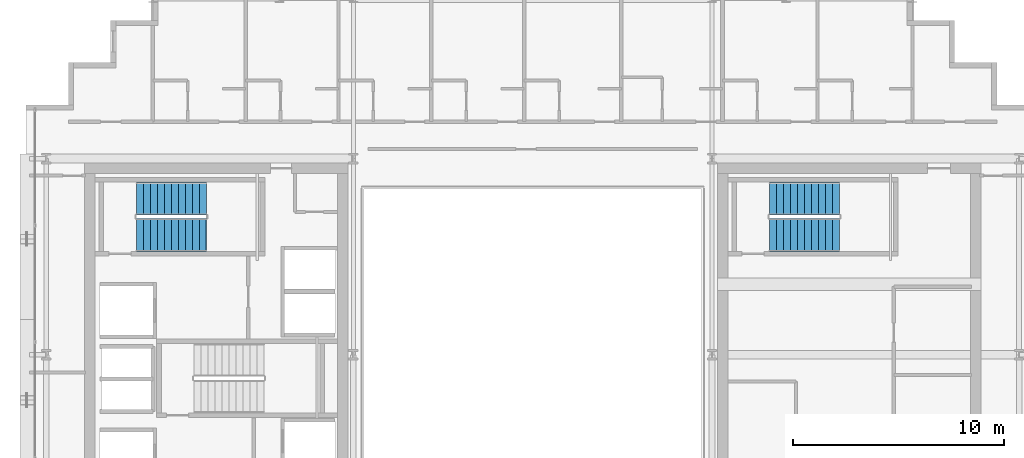
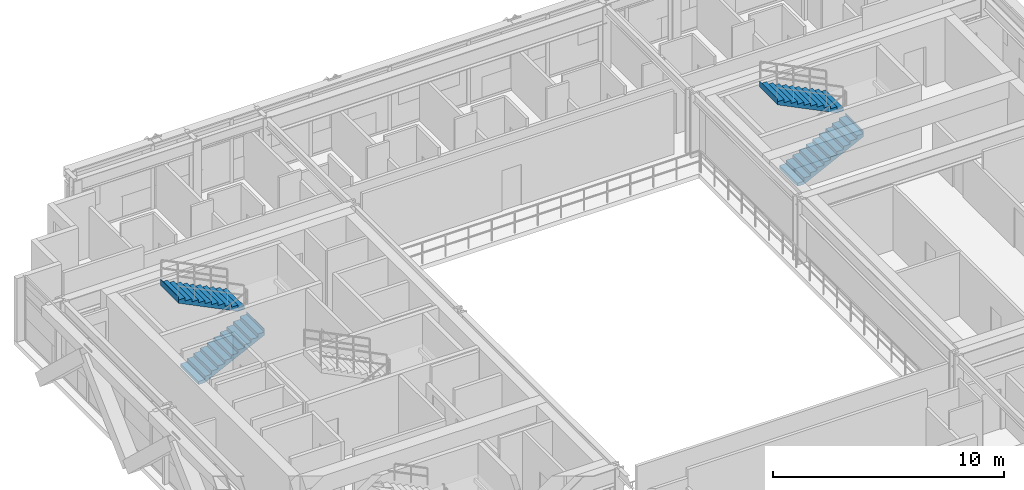
# One storey, part 28 of 32: 4 stair flights, 2 elements without a shape of their own.
"""IFC4 building model written with IfcOpenShell, lengths in metres."""

import ifcopenshell
import ifcopenshell.guid

model = None  # the IFC model being written
_history = None  # IfcOwnerHistory: only IFC2X3 demands one
_inside = {}  # id of a spatial element -> (the spatial element, [elements in it])
_under = {}  # id of a project, library or spatial element -> (it, [spatial elements below it])
_declared = {}  # id of a project -> (the project, [libraries it declares])
_typed = {}  # id of a type object -> (the type object, [elements of that type])
_made_of = {}  # id of a material, layer set ... -> (it, [elements and type objects made of it])


def new_model(schema):
    """Start an empty IFC model of exactly this schema.

    Asked for "IFC4X3", IfcOpenShell would pick the latest addendum, in which some entities
    have other attributes; the version numbers below select the first issue.
    IFC2X3 requires an IfcOwnerHistory on every rooted entity: one is made here for all.
    """
    global model, _history
    if schema == "IFC4X3":
        model = ifcopenshell.file(schema_version=(4, 3, 0, 0))
    else:
        model = ifcopenshell.file(schema=schema)
    _inside.clear()
    _under.clear()
    _declared.clear()
    _typed.clear()
    _made_of.clear()
    _history = None
    if model.schema == "IFC2X3":
        org = make("IfcOrganization", Name="unknown")
        user = make(
            "IfcPersonAndOrganization",
            ThePerson=make("IfcPerson", FamilyName="unknown"),
            TheOrganization=org,
        )
        app = make(
            "IfcApplication",
            ApplicationDeveloper=org,
            Version="unknown",
            ApplicationFullName="unknown",
            ApplicationIdentifier="unknown",
        )
        _history = make(
            "IfcOwnerHistory",
            OwningUser=user,
            OwningApplication=app,
            ChangeAction="ADDED",
            CreationDate=0,
        )
    return model


def make(cls, **values):
    """One entity of the class cls with the attributes given. An attribute that is None is left unset."""
    return model.create_entity(
        cls, **{name: value for name, value in values.items() if value is not None}
    )


def rooted(cls, **values):
    """An entity with a GlobalId (a new one), such as an element, a storey or a relation."""
    return make(cls, GlobalId=ifcopenshell.guid.new(), OwnerHistory=_history, **values)


def si_unit(unit_type, name, prefix=None):
    """IfcSIUnit, for example si_unit("LENGTHUNIT", "METRE", prefix="MILLI")."""
    return make("IfcSIUnit", UnitType=unit_type, Prefix=prefix, Name=name)


def assignment(units):
    """IfcUnitAssignment: the units of a project."""
    return None if units is None else make("IfcUnitAssignment", Units=units)


def point(xyz):
    """IfcCartesianPoint."""
    return None if xyz is None else make("IfcCartesianPoint", Coordinates=xyz)


def direction(xyz):
    """IfcDirection."""
    return None if xyz is None else make("IfcDirection", DirectionRatios=xyz)


def frame(location, z_axis=None, x_axis=None):
    """IfcAxis2Placement3D, a coordinate frame: its origin and axes. An axis left out is left unset."""
    return make(
        "IfcAxis2Placement3D",
        Location=point(location),
        Axis=direction(z_axis),
        RefDirection=direction(x_axis),
    )


def origin():
    """The frame at (0, 0, 0) with its axes left unset."""
    return frame((0.0, 0.0, 0.0))


def place(relative_to, where):
    """IfcLocalPlacement: puts the frame where relative to a parent placement (None: the world)."""
    return make(
        "IfcLocalPlacement", PlacementRelTo=relative_to, RelativePlacement=where
    )


def context(
    kind, dimensions, precision=None, world=None, true_north=None, identifier=None
):
    """IfcGeometricRepresentationContext, for example the 3D "Model" context."""
    return make(
        "IfcGeometricRepresentationContext",
        ContextIdentifier=identifier,
        ContextType=kind,
        CoordinateSpaceDimension=dimensions,
        Precision=precision,
        WorldCoordinateSystem=world,
        TrueNorth=true_north,
    )


def subcontext(parent, identifier, kind, view, scale=None):
    """IfcGeometricRepresentationSubContext, for example "Body" below "Model"."""
    return make(
        "IfcGeometricRepresentationSubContext",
        ContextIdentifier=identifier,
        ContextType=kind,
        ParentContext=parent,
        TargetScale=scale,
        TargetView=view,
    )


def project(units=None, contexts=None):
    """IfcProject with its units and contexts."""
    return rooted(
        "IfcProject",
        Name="project",
        RepresentationContexts=contexts,
        UnitsInContext=assignment(units),
    )


def spatial(cls, under=None, at=None, **own):
    """A site, building, storey or space (cls), placed at a placement, below another one or the project."""
    s = rooted(cls, ObjectPlacement=at, **own)
    if under is not None:
        _under.setdefault(under.id(), (under, []))[1].append(s)
    return s


def polyline(points):
    """IfcPolyline through the points."""
    return make("IfcPolyline", Points=[point(p) for p in points])


def outline(outer, holes=None, kind="AREA"):
    """IfcArbitraryClosedProfileDef: a profile drawn as a closed curve; with holes, ...WithVoids."""
    if holes is None:
        return make("IfcArbitraryClosedProfileDef", ProfileType=kind, OuterCurve=outer)
    return make(
        "IfcArbitraryProfileDefWithVoids",
        ProfileType=kind,
        OuterCurve=outer,
        InnerCurves=holes,
    )


def extrude(swept, where, along, depth):
    """IfcExtrudedAreaSolid: the profile swept, set in the frame where, extruded along a direction by depth."""
    return make(
        "IfcExtrudedAreaSolid",
        SweptArea=swept,
        Position=where,
        ExtrudedDirection=direction(along),
        Depth=depth,
    )


def shape(context_of_items, identifier, shape_type, items):
    """IfcShapeRepresentation: the items that make up one representation, for example the "Body"."""
    return make(
        "IfcShapeRepresentation",
        ContextOfItems=context_of_items,
        RepresentationIdentifier=identifier,
        RepresentationType=shape_type,
        Items=items,
    )


def source(mapping_origin, context_of_items, identifier, shape_type, items):
    """IfcRepresentationMap: a shape defined once, which mapped items show again and again."""
    return make(
        "IfcRepresentationMap",
        MappingOrigin=mapping_origin,
        MappedRepresentation=shape(context_of_items, identifier, shape_type, items),
    )


def transform(
    local_origin,
    x_axis=None,
    y_axis=None,
    z_axis=None,
    scale=None,
    scale2=None,
    scale3=None,
    uniform=True,
):
    """IfcCartesianTransformationOperator3D, or its non-uniform kind. x_axis, y_axis, z_axis: its Axis1, 2, 3."""
    if uniform:
        return make(
            "IfcCartesianTransformationOperator3D",
            Axis1=direction(x_axis),
            Axis2=direction(y_axis),
            LocalOrigin=point(local_origin),
            Scale=scale,
            Axis3=direction(z_axis),
        )
    return make(
        "IfcCartesianTransformationOperator3DnonUniform",
        Axis1=direction(x_axis),
        Axis2=direction(y_axis),
        LocalOrigin=point(local_origin),
        Scale=scale,
        Axis3=direction(z_axis),
        Scale2=scale2,
        Scale3=scale3,
    )


def mapped(mapping_source, mapping_target):
    """IfcMappedItem: shows the shape of a source again, moved by a transform."""
    return make(
        "IfcMappedItem", MappingSource=mapping_source, MappingTarget=mapping_target
    )


def material(Name=None, Category=None):
    """IfcMaterial."""
    return make("IfcMaterial", Name=Name, Category=Category)


def made_of(thing, what):
    """Note that an element or type object is made of a material, layer set ...; save() writes the relation."""
    if what is not None:
        _made_of.setdefault(what.id(), (what, []))[1].append(thing)
    return thing


def type_object(cls, material=None, **own):
    """A type object (cls), such as IfcWallType, which elements share."""
    return made_of(rooted(cls, **own), material)


def element(
    cls,
    number,
    at=None,
    inside=None,
    cuts=None,
    type_object=None,
    material=None,
    context=None,
    identifier="Body",
    shape_type=None,
    held_by="IfcProductDefinitionShape",
    body=None,
    shapes=None,
    **own,
):
    """One element of the class cls, such as IfcWall. Its Tag is "e" and its number.

    at: its placement. inside: the storey or other place that contains it. cuts: it is an
    opening in that element (IfcRelVoidsElement). A single representation is given by context,
    identifier, shape_type and body (its items); several are given by shapes. held_by: the class
    of the entity that holds the representations. save() writes the other relations.
    """
    e = rooted(cls, Tag="e%d" % number, ObjectPlacement=at, **own)
    if body is not None:
        shapes = [shape(context, identifier, shape_type, body)]
    if shapes is not None:
        e.Representation = make(held_by, Representations=shapes)
    if inside is not None:
        _inside.setdefault(inside.id(), (inside, []))[1].append(e)
    if cuts is not None:
        rooted(
            "IfcRelVoidsElement", RelatingBuildingElement=cuts, RelatedOpeningElement=e
        )
    if type_object is not None:
        _typed.setdefault(type_object.id(), (type_object, []))[1].append(e)
    return made_of(e, material)


def aggregate(whole, parts):
    """IfcRelAggregates: a whole, such as a stair, and the parts it consists of."""
    return rooted("IfcRelAggregates", RelatingObject=whole, RelatedObjects=parts)


def save(model, path):
    """Write the relations noted so far, then the file.

    IfcRelAggregates (storeys below a building ...), IfcRelContainedInSpatialStructure (elements
    in a storey), IfcRelDefinesByType, IfcRelAssociatesMaterial and IfcRelDeclares: one each for
    every whole, place, type object, material and project.
    """
    for whole, parts in _under.values():
        aggregate(whole, parts)
    for where, things in _inside.values():
        rooted(
            "IfcRelContainedInSpatialStructure",
            RelatedElements=things,
            RelatingStructure=where,
        )
    for kind, things in _typed.values():
        rooted("IfcRelDefinesByType", RelatedObjects=things, RelatingType=kind)
    for what, things in _made_of.values():
        rooted("IfcRelAssociatesMaterial", RelatedObjects=things, RelatingMaterial=what)
    for by, libraries in _declared.values():
        rooted("IfcRelDeclares", RelatingContext=by, RelatedDefinitions=libraries)
    model.write(path)


model = new_model("IFC4")

# Units and contexts
model_context = context("Model", 3, precision=1e-05, world=origin(), true_north=direction((0.0, 1.0)))
body_context = subcontext(model_context, "Body", "Model", "MODEL_VIEW")
ifc_project = project(units=[si_unit("LENGTHUNIT", "METRE"), si_unit("AREAUNIT", "SQUARE_METRE"), si_unit("VOLUMEUNIT", "CUBIC_METRE"), si_unit("PLANEANGLEUNIT", "RADIAN"), si_unit("MASSUNIT", "GRAM", prefix="KILO")], contexts=[model_context])

# Site, building, storey
site_placement = place(None, origin())
site = spatial("IfcSite", under=ifc_project, at=site_placement, CompositionType="ELEMENT")
building_placement = place(site_placement, origin())
building = spatial("IfcBuilding", under=site, at=building_placement, Name="Ocotamira Hotel", CompositionType="ELEMENT")
storey_placement = place(building_placement, frame((0.0, 0.0, 166.800048828125)))
storey = spatial("IfcBuildingStorey", under=building, at=storey_placement, Name="L41", CompositionType="ELEMENT", Elevation=166.800048828125)

# Stair, stair flights
ifc_material = material(Name="Concrete C40/50", Category="concrete")
stair_type = type_object("IfcStairType", Name="ST-CORE-1560", PredefinedType="HALF_TURN_STAIR", material=ifc_material)
stair_1_placement = place(storey_placement, origin())
stair_1 = element("IfcStair", 1, at=stair_1_placement, inside=storey, type_object=stair_type, Name="L41 Exit Stair ST-2", PredefinedType="HALF_TURN_STAIR")
stair_flight_type = type_object("IfcStairFlightType", Name="STF-CORE-1560", PredefinedType="STRAIGHT", material=ifc_material)
shared_shape = source(origin(), body_context, "Body", "SweptSolid", [
    extrude(outline(polyline([(-0.00390625, 0.0), (-0.00390625, 0.16357421875), (0.330078125, 0.16357421875), (0.330078125, 0.327392578125), (0.659912109375, 0.327392578125), (0.659912109375, 0.490966796875), (0.989990234375, 0.490966796875), (0.989990234375, 0.654541015625), (1.320068359375, 0.654541015625), (1.320068359375, 0.818115234375), (1.64990234375, 0.818115234375), (1.64990234375, 0.98193359375), (1.97998046875, 0.98193359375), (1.97998046875, 1.1455078125), (2.31005859375, 1.1455078125), (2.31005859375, 1.30908203125), (2.639892578125, 1.30908203125), (2.639892578125, 1.47265625), (2.969970703125, 1.47265625), (2.969970703125, 1.636474609375), (3.300048828125, 1.636474609375), (3.300048828125, 1.800048828125), (3.303955078125, 1.800048828125), (3.303955078125, 1.468994140625), (0.33740234375, 0.0), (-0.00390625, 0.0)])), frame((0.0, 0.780029296875, 0.0), z_axis=(0.0, -1.0, 0.0), x_axis=(1.0, 0.0, 0.0)), (0.0, 0.0, 1.0), 1.56005859375),
])
stair_flight_1_placement = place(storey_placement, frame((13.22998046875, 33.830078125, 0.0), z_axis=(0.0, 0.0, 1.0), x_axis=(1.0, 0.0, 0.0)))
stair_flight_1 = element("IfcStairFlight", 2, at=stair_flight_1_placement, type_object=stair_flight_type, Name="ST-2 flight 1", NumberOfRisers=11, NumberOfTreads=10, PredefinedType="STRAIGHT", RiserHeight=0.163636364, TreadLength=0.33, context=body_context, shape_type="MappedRepresentation", body=[
    mapped(shared_shape, transform((0.0, 0.0, 0.0), scale=1.0)),
])
stair_flight_2_placement = place(storey_placement, frame((16.530029296875, 35.550048828125, 1.800048828125), z_axis=(0.0, 0.0, 1.0), x_axis=(-1.0, 0.0, 0.0)))
stair_flight_2 = element("IfcStairFlight", 3, at=stair_flight_2_placement, type_object=stair_flight_type, Name="ST-2 flight 2", NumberOfRisers=11, NumberOfTreads=10, PredefinedType="STRAIGHT", RiserHeight=0.163636364, TreadLength=0.33, context=body_context, shape_type="MappedRepresentation", body=[
    mapped(shared_shape, transform((0.0, 0.0, 0.0), scale=1.0)),
])
aggregate(stair_1, [stair_flight_1, stair_flight_2])

stair_2_placement = place(storey_placement, origin())
stair_2 = element("IfcStair", 4, at=stair_2_placement, inside=storey, type_object=stair_type, Name="L41 Exit Stair ST-4", PredefinedType="HALF_TURN_STAIR")
stair_flight_3_placement = place(storey_placement, frame((43.22998046875, 33.830078125, 0.0), z_axis=(0.0, 0.0, 1.0), x_axis=(1.0, 0.0, 0.0)))
stair_flight_3 = element("IfcStairFlight", 5, at=stair_flight_3_placement, type_object=stair_flight_type, Name="ST-4 flight 1", NumberOfRisers=11, NumberOfTreads=10, PredefinedType="STRAIGHT", RiserHeight=0.163636364, TreadLength=0.33, context=body_context, shape_type="MappedRepresentation", body=[
    mapped(shared_shape, transform((0.0, 0.0, 0.0), scale=1.0)),
])
stair_flight_4_placement = place(storey_placement, frame((46.530029296875, 35.550048828125, 1.800048828125), z_axis=(0.0, 0.0, 1.0), x_axis=(-1.0, 0.0, 0.0)))
stair_flight_4 = element("IfcStairFlight", 6, at=stair_flight_4_placement, type_object=stair_flight_type, Name="ST-4 flight 2", NumberOfRisers=11, NumberOfTreads=10, PredefinedType="STRAIGHT", RiserHeight=0.163636364, TreadLength=0.33, context=body_context, shape_type="MappedRepresentation", body=[
    mapped(shared_shape, transform((0.0, 0.0, 0.0), scale=1.0)),
])
aggregate(stair_2, [stair_flight_3, stair_flight_4])

save(model, "model.ifc")
